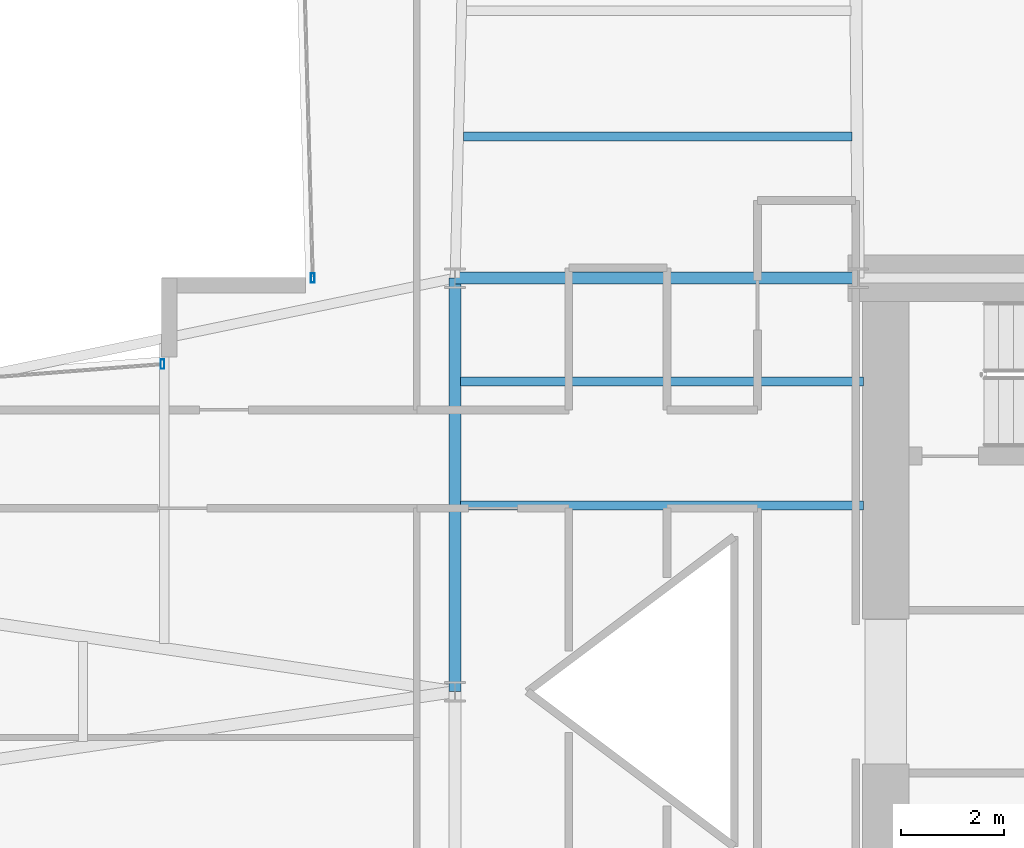
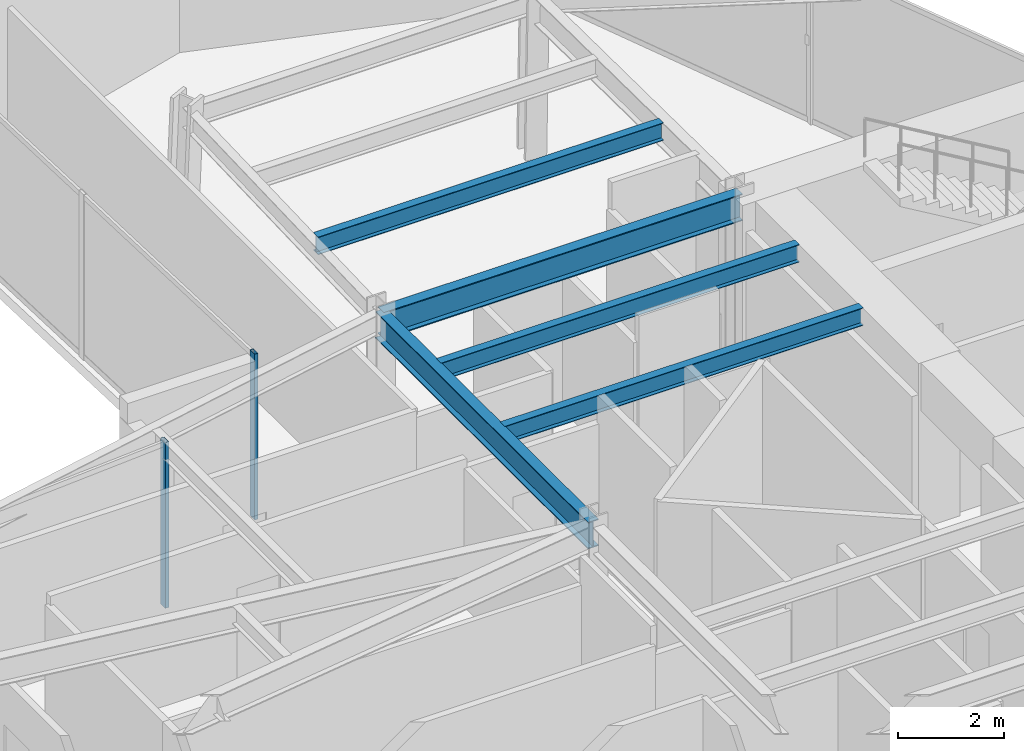
# One storey, part 12 of 29: 5 beams, 2 members, 2 elements without a shape of their own.
"""IFC4 building model written with IfcOpenShell, lengths in metres."""

from ifc_helpers import new_model, si_unit, direction, frame, origin, origin_2d, place, context, subcontext, project, spatial, hollow_rectangle, i_section, extrude, material, layer, layer_set, material_profile, profile_set, type_object, element, aggregate, save


model = new_model("IFC4")

# Units and contexts
model_context = context("Model", 3, precision=1e-05, world=origin(), true_north=direction((0.0, 1.0)))
body_context = subcontext(model_context, "Body", "Model", "MODEL_VIEW")
ifc_project = project(units=[si_unit("LENGTHUNIT", "METRE"), si_unit("AREAUNIT", "SQUARE_METRE"), si_unit("VOLUMEUNIT", "CUBIC_METRE"), si_unit("PLANEANGLEUNIT", "RADIAN"), si_unit("MASSUNIT", "GRAM", prefix="KILO")], contexts=[model_context])

# Site, building, storey
site_placement = place(None, origin())
site = spatial("IfcSite", under=ifc_project, at=site_placement, CompositionType="ELEMENT")
building_placement = place(site_placement, origin())
building = spatial("IfcBuilding", under=site, at=building_placement, Name="Veymaron Broadcast Tower", CompositionType="ELEMENT")
storey_placement = place(building_placement, frame((0.0, 0.0, 58.050048828125)))
storey = spatial("IfcBuildingStorey", under=building, at=storey_placement, Name="L12", CompositionType="ELEMENT", Elevation=58.050048828125)

# Beams
ifc_material_1 = material(Name="Structural steel ASTM A992 Gr 50", Category="steel")
ifc_material_profile_1 = material_profile(ifc_material_1, i_section(OverallWidth=0.22998046875, OverallDepth=0.616943359375, WebThickness=0.01318359375, FlangeThickness=0.022216796875, at=origin_2d()), Name="W610X140")
ifc_profile_set_1 = profile_set([ifc_material_profile_1], Name="Structural steel ASTM A992 Gr 50")
beam_type_1 = type_object("IfcBeamType", Name="BM-FG1", PredefinedType="BEAM", material=ifc_profile_set_1)
beam_1_placement = place(storey_placement, frame((31.199951171875, 24.0, 3.50146484375), z_axis=(0.0, 1.0, 0.0), x_axis=(-1.0, 0.0, 0.0)))
element("IfcBeam", 1, at=beam_1_placement, inside=storey, type_object=beam_type_1, Name="L12 primary structural floor girder", PredefinedType="BEAM", context=body_context, shape_type="SweptSolid", body=[
    extrude(i_section(OverallWidth=0.22998046875, OverallDepth=0.616943359375, WebThickness=0.01318359375, FlangeThickness=0.022216796875, at=origin_2d()), origin(), (0.0, 0.0, 1.0), 8.0),
])
beam_2_placement = place(storey_placement, frame((31.199951171875, 32.0, 3.50146484375), z_axis=(1.0, 0.0, 0.0), x_axis=(0.0, 1.0, 0.0)))
element("IfcBeam", 2, at=beam_2_placement, inside=storey, type_object=beam_type_1, Name="L12 primary structural floor girder", PredefinedType="BEAM", context=body_context, shape_type="SweptSolid", body=[
    extrude(i_section(OverallWidth=0.22998046875, OverallDepth=0.616943359375, WebThickness=0.01318359375, FlangeThickness=0.022216796875, at=origin_2d()), origin(), (0.0, 0.0, 1.0), 7.800048828125),
])
ifc_material_profile_2 = material_profile(ifc_material_1, i_section(OverallWidth=0.177978515625, OverallDepth=0.406982421875, WebThickness=0.0078125, FlangeThickness=0.0126953125, at=origin_2d()), Name="W410X60")
ifc_profile_set_2 = profile_set([ifc_material_profile_2], Name="Structural steel ASTM A992 Gr 50")
beam_type_2 = type_object("IfcBeamType", Name="BM-JS1", PredefinedType="JOIST", material=ifc_profile_set_2)
beam_3_placement = place(storey_placement, frame((31.365478515625, 34.739501953125, 3.6064453125), z_axis=(1.0, 0.0, 0.0), x_axis=(0.0, 1.0, 0.0)))
element("IfcBeam", 3, at=beam_3_placement, inside=storey, type_object=beam_type_2, Name="L12 Arm-B secondary joist 1", PredefinedType="JOIST", context=body_context, shape_type="SweptSolid", body=[
    extrude(i_section(OverallWidth=0.177978515625, OverallDepth=0.406982421875, WebThickness=0.0078125, FlangeThickness=0.0126953125, at=origin_2d()), origin(), (0.0, 0.0, 1.0), 7.51123046875),
])
for number, where, z_axis, x_axis, name in (
    (4, (31.300048828125, 27.60009765625, 3.6064453125), (1.0, 0.0, 0.0), (0.0, 1.0, 0.0), "L12 Hub secondary joist 3"),
    (5, (31.300048828125, 30.0, 3.6064453125), (1.0, 0.0, 0.0), (0.0, 1.0, 0.0), "L12 Hub secondary joist 4"),
):
    element("IfcBeam", number, at=place(storey_placement, frame(where, z_axis=z_axis, x_axis=x_axis)), inside=storey, type_object=beam_type_2, Name=name, PredefinedType="JOIST", context=body_context, shape_type="SweptSolid", body=[
        extrude(i_section(OverallWidth=0.177978515625, OverallDepth=0.406982421875, WebThickness=0.0078125, FlangeThickness=0.0126953125, at=origin_2d()), origin(), (0.0, 0.0, 1.0), 7.800048828125),
    ])

# Curtain wall, member
ifc_material_2 = material(Name="Anodised aluminium AA 6063-T6 and laminated low-E dark glass", Category="aluminium")
ifc_layer = layer(ifc_material_2, 0.179931640625)
ifc_layer_set = layer_set([ifc_layer], Name="Anodised aluminium AA 6063-T6 and laminated low-E dark glass")
curtain_wall_type = type_object("IfcCurtainWallType", Name="CW-SYS-02", PredefinedType="NOTDEFINED", material=ifc_layer_set)
curtain_wall_1_placement = place(storey_placement, origin())
curtain_wall_1 = element("IfcCurtainWall", 6, at=curtain_wall_1_placement, inside=storey, type_object=curtain_wall_type, Name="L12 dark-glass curtain wall CW-L12-E8-1", PredefinedType="NOTDEFINED")
ifc_material_3 = material(Name="Anodised aluminium AA 6063-T6", Category="aluminium")
ifc_material_profile_3 = material_profile(ifc_material_3, hollow_rectangle(XDim=0.074951171875, YDim=0.179931640625, WallThickness=0.0048828125, at=origin_2d()), Name="AL180X75X5")
ifc_profile_set_3 = profile_set([ifc_material_profile_3], Name="Anodised aluminium AA 6063-T6")
member_type = type_object("IfcMemberType", Name="CW-MUL-02", PredefinedType="MULLION", material=ifc_profile_set_3)
member_1_placement = place(storey_placement, frame((28.4453125, 32.00390625, 0.0), z_axis=(0.0, 0.0, 1.0), x_axis=(1.0, 0.0, 0.0)))
member_1 = element("IfcMember", 7, at=member_1_placement, type_object=member_type, Name="CW-L12-E8-1 mullion 2", PredefinedType="MULLION", context=body_context, shape_type="SweptSolid", body=[
    extrude(hollow_rectangle(XDim=0.074951171875, YDim=0.179931640625, WallThickness=0.0048828125, at=origin_2d()), origin(), (0.0, 0.0, 1.0), 3.81005859375),
])
aggregate(curtain_wall_1, [member_1])

curtain_wall_2_placement = place(storey_placement, origin())
curtain_wall_2 = element("IfcCurtainWall", 8, at=curtain_wall_2_placement, inside=storey, type_object=curtain_wall_type, Name="L12 dark-glass curtain wall CW-L12-E11-1", PredefinedType="NOTDEFINED")
member_2_placement = place(storey_placement, frame((25.538818359375, 30.33642578125, 0.0), z_axis=(0.0, 0.0, 1.0), x_axis=(1.0, 0.0, 0.0)))
member_2 = element("IfcMember", 9, at=member_2_placement, type_object=member_type, Name="CW-L12-E11-1 mullion 0", PredefinedType="MULLION", context=body_context, shape_type="SweptSolid", body=[
    extrude(hollow_rectangle(XDim=0.074951171875, YDim=0.179931640625, WallThickness=0.0048828125, at=origin_2d()), origin(), (0.0, 0.0, 1.0), 3.81005859375),
])
aggregate(curtain_wall_2, [member_2])

save(model, "model.ifc")
